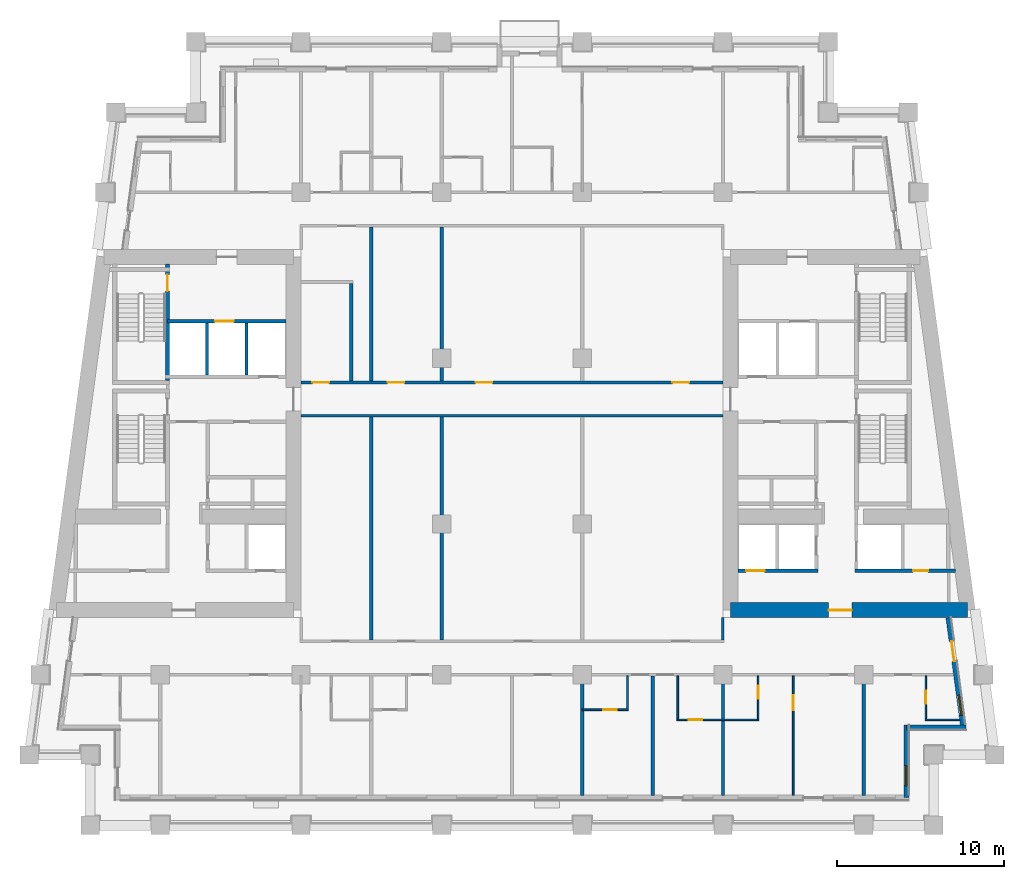
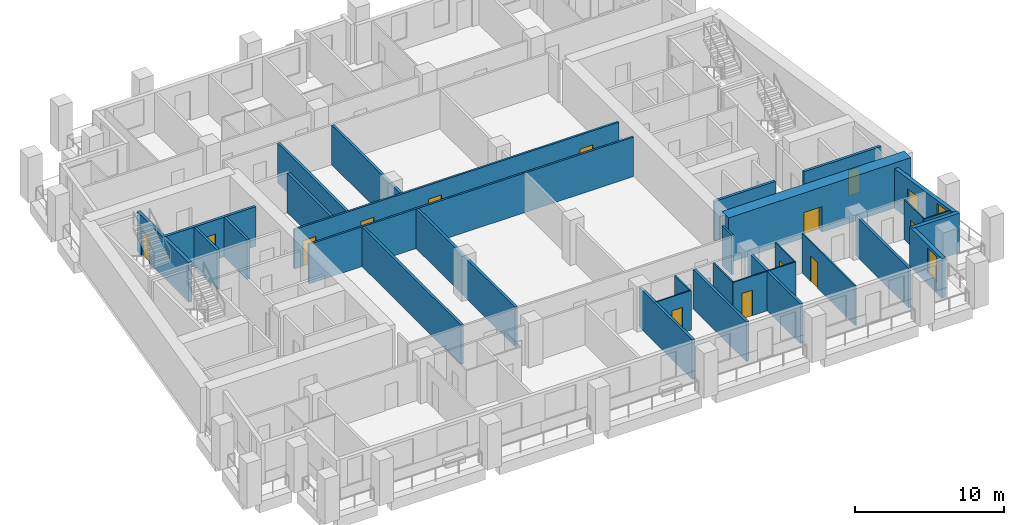
# One storey, part 4 of 13: 30 walls, 15 doors, 2 windows, 17 openings.
"""IFC4 building model written with IfcOpenShell, lengths in metres."""

import ifcopenshell
import ifcopenshell.guid

model = None  # the IFC model being written
_history = None  # IfcOwnerHistory: only IFC2X3 demands one
_inside = {}  # id of a spatial element -> (the spatial element, [elements in it])
_under = {}  # id of a project, library or spatial element -> (it, [spatial elements below it])
_declared = {}  # id of a project -> (the project, [libraries it declares])
_typed = {}  # id of a type object -> (the type object, [elements of that type])
_made_of = {}  # id of a material, layer set ... -> (it, [elements and type objects made of it])


def new_model(schema):
    """Start an empty IFC model of exactly this schema.

    Asked for "IFC4X3", IfcOpenShell would pick the latest addendum, in which some entities
    have other attributes; the version numbers below select the first issue.
    IFC2X3 requires an IfcOwnerHistory on every rooted entity: one is made here for all.
    """
    global model, _history
    if schema == "IFC4X3":
        model = ifcopenshell.file(schema_version=(4, 3, 0, 0))
    else:
        model = ifcopenshell.file(schema=schema)
    _inside.clear()
    _under.clear()
    _declared.clear()
    _typed.clear()
    _made_of.clear()
    _history = None
    if model.schema == "IFC2X3":
        org = make("IfcOrganization", Name="unknown")
        user = make(
            "IfcPersonAndOrganization",
            ThePerson=make("IfcPerson", FamilyName="unknown"),
            TheOrganization=org,
        )
        app = make(
            "IfcApplication",
            ApplicationDeveloper=org,
            Version="unknown",
            ApplicationFullName="unknown",
            ApplicationIdentifier="unknown",
        )
        _history = make(
            "IfcOwnerHistory",
            OwningUser=user,
            OwningApplication=app,
            ChangeAction="ADDED",
            CreationDate=0,
        )
    return model


def make(cls, **values):
    """One entity of the class cls with the attributes given. An attribute that is None is left unset."""
    return model.create_entity(
        cls, **{name: value for name, value in values.items() if value is not None}
    )


def rooted(cls, **values):
    """An entity with a GlobalId (a new one), such as an element, a storey or a relation."""
    return make(cls, GlobalId=ifcopenshell.guid.new(), OwnerHistory=_history, **values)


def si_unit(unit_type, name, prefix=None):
    """IfcSIUnit, for example si_unit("LENGTHUNIT", "METRE", prefix="MILLI")."""
    return make("IfcSIUnit", UnitType=unit_type, Prefix=prefix, Name=name)


def assignment(units):
    """IfcUnitAssignment: the units of a project."""
    return None if units is None else make("IfcUnitAssignment", Units=units)


def point(xyz):
    """IfcCartesianPoint."""
    return None if xyz is None else make("IfcCartesianPoint", Coordinates=xyz)


def direction(xyz):
    """IfcDirection."""
    return None if xyz is None else make("IfcDirection", DirectionRatios=xyz)


def frame(location, z_axis=None, x_axis=None):
    """IfcAxis2Placement3D, a coordinate frame: its origin and axes. An axis left out is left unset."""
    return make(
        "IfcAxis2Placement3D",
        Location=point(location),
        Axis=direction(z_axis),
        RefDirection=direction(x_axis),
    )


def frame_2d(location, x_axis=None):
    """IfcAxis2Placement2D, a coordinate frame in the plane: its origin and x axis."""
    return make(
        "IfcAxis2Placement2D", Location=point(location), RefDirection=direction(x_axis)
    )


def origin():
    """The frame at (0, 0, 0) with its axes left unset."""
    return frame((0.0, 0.0, 0.0))


def place(relative_to, where):
    """IfcLocalPlacement: puts the frame where relative to a parent placement (None: the world)."""
    return make(
        "IfcLocalPlacement", PlacementRelTo=relative_to, RelativePlacement=where
    )


def context(
    kind, dimensions, precision=None, world=None, true_north=None, identifier=None
):
    """IfcGeometricRepresentationContext, for example the 3D "Model" context."""
    return make(
        "IfcGeometricRepresentationContext",
        ContextIdentifier=identifier,
        ContextType=kind,
        CoordinateSpaceDimension=dimensions,
        Precision=precision,
        WorldCoordinateSystem=world,
        TrueNorth=true_north,
    )


def subcontext(parent, identifier, kind, view, scale=None):
    """IfcGeometricRepresentationSubContext, for example "Body" below "Model"."""
    return make(
        "IfcGeometricRepresentationSubContext",
        ContextIdentifier=identifier,
        ContextType=kind,
        ParentContext=parent,
        TargetScale=scale,
        TargetView=view,
    )


def project(units=None, contexts=None):
    """IfcProject with its units and contexts."""
    return rooted(
        "IfcProject",
        Name="project",
        RepresentationContexts=contexts,
        UnitsInContext=assignment(units),
    )


def spatial(cls, under=None, at=None, **own):
    """A site, building, storey or space (cls), placed at a placement, below another one or the project."""
    s = rooted(cls, ObjectPlacement=at, **own)
    if under is not None:
        _under.setdefault(under.id(), (under, []))[1].append(s)
    return s


def profile(cls, at=None, kind="AREA", **sizes):
    """A parametric profile (cls). Its sizes go by their IFC names, for example OverallWidth=200.0."""
    return make(cls, ProfileType=kind, Position=at, **sizes)


def rectangle(**sizes):
    """IfcRectangleProfileDef."""
    return profile("IfcRectangleProfileDef", **sizes)


def extrude(swept, where, along, depth):
    """IfcExtrudedAreaSolid: the profile swept, set in the frame where, extruded along a direction by depth."""
    return make(
        "IfcExtrudedAreaSolid",
        SweptArea=swept,
        Position=where,
        ExtrudedDirection=direction(along),
        Depth=depth,
    )


def shape(context_of_items, identifier, shape_type, items):
    """IfcShapeRepresentation: the items that make up one representation, for example the "Body"."""
    return make(
        "IfcShapeRepresentation",
        ContextOfItems=context_of_items,
        RepresentationIdentifier=identifier,
        RepresentationType=shape_type,
        Items=items,
    )


def material(Name=None, Category=None):
    """IfcMaterial."""
    return make("IfcMaterial", Name=Name, Category=Category)


def layer(
    of_material, thickness, ventilated=None, Name=None, Category=None, Priority=None
):
    """IfcMaterialLayer: one layer of a wall or slab, of a material (None: an air gap)."""
    return make(
        "IfcMaterialLayer",
        Material=of_material,
        LayerThickness=thickness,
        IsVentilated=ventilated,
        Name=Name,
        Category=Category,
        Priority=Priority,
    )


def layer_set(layers, Name=None):
    """IfcMaterialLayerSet."""
    return make("IfcMaterialLayerSet", MaterialLayers=layers, LayerSetName=Name)


def made_of(thing, what):
    """Note that an element or type object is made of a material, layer set ...; save() writes the relation."""
    if what is not None:
        _made_of.setdefault(what.id(), (what, []))[1].append(thing)
    return thing


def type_object(cls, material=None, **own):
    """A type object (cls), such as IfcWallType, which elements share."""
    return made_of(rooted(cls, **own), material)


def element(
    cls,
    number,
    at=None,
    inside=None,
    cuts=None,
    type_object=None,
    material=None,
    context=None,
    identifier="Body",
    shape_type=None,
    held_by="IfcProductDefinitionShape",
    body=None,
    shapes=None,
    **own,
):
    """One element of the class cls, such as IfcWall. Its Tag is "e" and its number.

    at: its placement. inside: the storey or other place that contains it. cuts: it is an
    opening in that element (IfcRelVoidsElement). A single representation is given by context,
    identifier, shape_type and body (its items); several are given by shapes. held_by: the class
    of the entity that holds the representations. save() writes the other relations.
    """
    e = rooted(cls, Tag="e%d" % number, ObjectPlacement=at, **own)
    if body is not None:
        shapes = [shape(context, identifier, shape_type, body)]
    if shapes is not None:
        e.Representation = make(held_by, Representations=shapes)
    if inside is not None:
        _inside.setdefault(inside.id(), (inside, []))[1].append(e)
    if cuts is not None:
        rooted(
            "IfcRelVoidsElement", RelatingBuildingElement=cuts, RelatedOpeningElement=e
        )
    if type_object is not None:
        _typed.setdefault(type_object.id(), (type_object, []))[1].append(e)
    return made_of(e, material)


def fill(opening, filler):
    """IfcRelFillsElement: the door or window that sits in an opening."""
    return rooted(
        "IfcRelFillsElement",
        RelatingOpeningElement=opening,
        RelatedBuildingElement=filler,
    )


def aggregate(whole, parts):
    """IfcRelAggregates: a whole, such as a stair, and the parts it consists of."""
    return rooted("IfcRelAggregates", RelatingObject=whole, RelatedObjects=parts)


def save(model, path):
    """Write the relations noted so far, then the file.

    IfcRelAggregates (storeys below a building ...), IfcRelContainedInSpatialStructure (elements
    in a storey), IfcRelDefinesByType, IfcRelAssociatesMaterial and IfcRelDeclares: one each for
    every whole, place, type object, material and project.
    """
    for whole, parts in _under.values():
        aggregate(whole, parts)
    for where, things in _inside.values():
        rooted(
            "IfcRelContainedInSpatialStructure",
            RelatedElements=things,
            RelatingStructure=where,
        )
    for kind, things in _typed.values():
        rooted("IfcRelDefinesByType", RelatedObjects=things, RelatingType=kind)
    for what, things in _made_of.values():
        rooted("IfcRelAssociatesMaterial", RelatedObjects=things, RelatingMaterial=what)
    for by, libraries in _declared.values():
        rooted("IfcRelDeclares", RelatingContext=by, RelatedDefinitions=libraries)
    model.write(path)


model = new_model("IFC4")

# Units and contexts
model_context = context("Model", 3, precision=1e-05, world=origin(), true_north=direction((0.0, 1.0)))
body_context = subcontext(model_context, "Body", "Model", "MODEL_VIEW")
ifc_project = project(units=[si_unit("LENGTHUNIT", "METRE"), si_unit("AREAUNIT", "SQUARE_METRE"), si_unit("VOLUMEUNIT", "CUBIC_METRE"), si_unit("PLANEANGLEUNIT", "RADIAN"), si_unit("MASSUNIT", "GRAM", prefix="KILO")], contexts=[model_context])

# Site, building, storey
site_placement = place(None, origin())
site = spatial("IfcSite", under=ifc_project, at=site_placement, CompositionType="ELEMENT")
building_placement = place(site_placement, origin())
building = spatial("IfcBuilding", under=site, at=building_placement, Name="Candeia Pilgrim Tower and Theatre", CompositionType="ELEMENT")
storey_placement = place(building_placement, frame((0.0, 0.0, 188.5)))
storey = spatial("IfcBuildingStorey", under=building, at=storey_placement, Name="L45", CompositionType="ELEMENT", Elevation=188.5)

# Wall, opening, door
ifc_material_1 = material(Name="Concrete C60/75", Category="concrete")
ifc_layer_1 = layer(ifc_material_1, 0.89990234375)
ifc_layer_set_1 = layer_set([ifc_layer_1], Name="Core wall 900 C60/75")
wall_type_1 = type_object("IfcWallType", Name="Core wall 900 C60/75", PredefinedType="SHEAR", material=ifc_layer_set_1)
wall_1_placement = place(storey_placement, frame((140.6162109375, 110.85009765625, 0.0), z_axis=(0.0, 0.0, 1.0), x_axis=(-1.0, 0.0, 0.0)))
wall_1 = element("IfcWall", 1, at=wall_1_placement, inside=storey, type_object=wall_type_1, Name="Core wall E3", PredefinedType="SHEAR", context=body_context, shape_type="SweptSolid", body=[
    extrude(rectangle(XDim=14.166259765625, YDim=0.89990234375, at=frame_2d((7.0830078125, 0.0))), origin(), (0.0, 0.0, 1.0), 3.699951171875),
])
opening_1_placement = place(wall_1_placement, frame((6.911376953125, 0.0, 0.0)))
opening_1 = element("IfcOpeningElement", 2, at=opening_1_placement, cuts=wall_1, Name="Opening L45-D058", PredefinedType="OPENING", context=body_context, shape_type="SweptSolid", body=[
    extrude(rectangle(XDim=1.39990234375, YDim=2.10009765625, at=frame_2d((0.699951171875, 1.050048828125))), frame((0.0, 0.4599609375, 0.0), z_axis=(0.0, -1.0, 0.0), x_axis=(1.0, 0.0, 0.0)), (0.0, 0.0, 1.0), 0.919921875),
])
ifc_material_2 = material(Name="Steel fire door set", Category="steel")
door_type_1 = type_object("IfcDoorType", Name="D-1400-FD60", OperationType="NOTDEFINED", PredefinedType="DOOR", material=ifc_material_2)
door_1_placement = place(opening_1_placement, origin())
door_1 = element("IfcDoor", 3, at=door_1_placement, inside=storey, type_object=door_type_1, Name="Door L45-D058", OperationType="SINGLE_SWING_LEFT", OverallHeight=2.10009765625, OverallWidth=1.39990234375, PredefinedType="DOOR", context=body_context, shape_type="SweptSolid", body=[
    extrude(rectangle(XDim=1.39990234375, YDim=2.10009765625, at=frame_2d((0.699951171875, 1.050048828125))), frame((0.0, 0.02490234375, 0.0), z_axis=(0.0, -1.0, 0.0), x_axis=(1.0, 0.0, 0.0)), (0.0, 0.0, 1.0), 0.050048828125),
])
fill(opening_1, door_1)

# Wall, opening, window
ifc_material_3 = material(Name="Ceramic block masonry", Category="masonry")
ifc_layer_2 = layer(ifc_material_3, 0.300048828125)
ifc_layer_set_2 = layer_set([ifc_layer_2], Name="EW1 glazing-line wall 300")
wall_type_2 = type_object("IfcWallType", Name="EW1 glazing-line wall 300", PredefinedType="SOLIDWALL", material=ifc_layer_set_2)
wall_2_placement = place(storey_placement, frame((136.949951171875, 99.64990234375, 0.0), z_axis=(0.0, 0.0, 1.0), x_axis=(0.0, 1.0, 0.0)))
wall_2 = element("IfcWall", 4, at=wall_2_placement, inside=storey, type_object=wall_type_2, Name="External wall L45-1.0", PredefinedType="SOLIDWALL", context=body_context, shape_type="SweptSolid", body=[
    extrude(rectangle(XDim=4.35009765625, YDim=0.300048828125, at=frame_2d((2.175048828125, 0.0))), origin(), (0.0, 0.0, 1.0), 3.25),
])
opening_2_placement = place(wall_2_placement, frame((0.72509765625, 0.0, 0.89990234375)))
opening_2 = element("IfcOpeningElement", 5, at=opening_2_placement, cuts=wall_2, Name="Opening W-B", PredefinedType="OPENING", context=body_context, shape_type="SweptSolid", body=[
    extrude(rectangle(XDim=1.199951171875, YDim=2.10009765625, at=frame_2d((0.60009765625, 1.050048828125))), frame((0.0, 0.16015625, 0.0), z_axis=(0.0, -1.0, 0.0), x_axis=(1.0, 0.0, 0.0)), (0.0, 0.0, 1.0), 0.320068359375),
])
ifc_material_4 = material(Name="Aluminium framed double glazing", Category="aluminium")
window_type = type_object("IfcWindowType", Name="W-B window 1200x2100", PartitioningType="SINGLE_PANEL", PredefinedType="WINDOW", material=ifc_material_4)
window_1_placement = place(opening_2_placement, origin())
window_1 = element("IfcWindow", 6, at=window_1_placement, inside=storey, type_object=window_type, Name="Window W-B L45", OverallHeight=2.10009765625, OverallWidth=1.199951171875, PartitioningType="SINGLE_PANEL", PredefinedType="WINDOW", context=body_context, shape_type="SweptSolid", body=[
    extrude(rectangle(XDim=1.199951171875, YDim=2.10009765625, at=frame_2d((0.60009765625, 1.050048828125))), frame((0.0, 0.030029296875, 0.0), z_axis=(0.0, -1.0, 0.0), x_axis=(1.0, 0.0, 0.0)), (0.0, 0.0, 1.0), 0.06005859375),
])
fill(opening_2, window_1)

# Wall
wall_3_placement = place(storey_placement, frame((136.949951171875, 103.85009765625, 0.0), z_axis=(0.0, 0.0, 1.0), x_axis=(1.0, 0.0, 0.0)))
element("IfcWall", 7, at=wall_3_placement, inside=storey, type_object=wall_type_2, Name="External wall L45-2.0", PredefinedType="SOLIDWALL", context=body_context, shape_type="SweptSolid", body=[
    extrude(rectangle(XDim=3.569091796875, YDim=0.300048828125, at=frame_2d((1.78466796875, 0.0))), origin(), (0.0, 0.0, 1.0), 3.25),
])

# Wall, openings, door, window
wall_4_placement = place(storey_placement, frame((140.34765625, 103.85009765625, 0.0), z_axis=(0.0, 0.0, 1.0), x_axis=(-0.133431549479, 0.991058031401, 0.0)))
wall_4 = element("IfcWall", 8, at=wall_4_placement, inside=storey, type_object=wall_type_2, Name="External wall L45-3.0", PredefinedType="SOLIDWALL", context=body_context, shape_type="SweptSolid", body=[
    extrude(rectangle(XDim=6.60888671875, YDim=0.300048828125, at=frame_2d((3.304443359375, 0.0))), origin(), (0.0, 0.0, 1.0), 3.25),
])
opening_3_placement = place(wall_4_placement, frame((0.736572265625, 0.0, 0.89990234375)))
opening_3 = element("IfcOpeningElement", 9, at=opening_3_placement, cuts=wall_4, Name="Opening W-B", PredefinedType="OPENING", context=body_context, shape_type="SweptSolid", body=[
    extrude(rectangle(XDim=1.199951171875, YDim=2.10009765625, at=frame_2d((0.60009765625, 1.050048828125))), frame((0.0, 0.16015625, 0.0), z_axis=(0.0, -1.0, 0.0), x_axis=(1.0, 0.0, 0.0)), (0.0, 0.0, 1.0), 0.320068359375),
])
opening_4_placement = place(wall_4_placement, frame((3.990966796875, 0.0, 0.0)))
opening_4 = element("IfcOpeningElement", 10, at=opening_4_placement, cuts=wall_4, Name="Opening L45-ED432", PredefinedType="OPENING", context=body_context, shape_type="SweptSolid", body=[
    extrude(rectangle(XDim=1.199951171875, YDim=2.39990234375, at=frame_2d((0.60009765625, 1.199951171875))), frame((0.0, 0.16015625, 0.0), z_axis=(0.0, -1.0, 0.0), x_axis=(1.0, 0.0, 0.0)), (0.0, 0.0, 1.0), 0.320068359375),
])
ifc_material_5 = material(Name="Aluminium framed glazed door", Category="aluminium")
door_type_2 = type_object("IfcDoorType", Name="Loggia door 1200x2400", OperationType="DOUBLE_DOOR_SINGLE_SWING", PredefinedType="DOOR", material=ifc_material_5)
door_2_placement = place(opening_4_placement, origin())
door_2 = element("IfcDoor", 11, at=door_2_placement, inside=storey, type_object=door_type_2, Name="Loggia door L45-ED432", OperationType="DOUBLE_DOOR_SINGLE_SWING", OverallHeight=2.39990234375, OverallWidth=1.199951171875, PredefinedType="DOOR", context=body_context, shape_type="SweptSolid", body=[
    extrude(rectangle(XDim=1.199951171875, YDim=2.39990234375, at=frame_2d((0.60009765625, 1.199951171875))), frame((0.0, 0.02490234375, 0.0), z_axis=(0.0, -1.0, 0.0), x_axis=(1.0, 0.0, 0.0)), (0.0, 0.0, 1.0), 0.050048828125),
])
fill(opening_4, door_2)
window_2_placement = place(opening_3_placement, origin())
window_2 = element("IfcWindow", 12, at=window_2_placement, inside=storey, type_object=window_type, Name="Window W-B L45", OverallHeight=2.10009765625, OverallWidth=1.199951171875, PartitioningType="SINGLE_PANEL", PredefinedType="WINDOW", context=body_context, shape_type="SweptSolid", body=[
    extrude(rectangle(XDim=1.199951171875, YDim=2.10009765625, at=frame_2d((0.60009765625, 1.050048828125))), frame((0.0, 0.030029296875, 0.0), z_axis=(0.0, -1.0, 0.0), x_axis=(1.0, 0.0, 0.0)), (0.0, 0.0, 1.0), 0.06005859375),
])
fill(opening_3, window_2)

# Wall, opening, door
ifc_material_6 = material(Name="Gypsum board partition on steel studs", Category="steel")
ifc_layer_3 = layer(ifc_material_6, 0.10009765625)
ifc_layer_set_3 = layer_set([ifc_layer_3], Name="PW-100 room partition")
wall_type_3 = type_object("IfcWallType", Name="PW-100 room partition", PredefinedType="PARTITIONING", material=ifc_layer_set_3)
wall_5_placement = place(storey_placement, frame((123.25, 104.300048828125, 0.0), z_axis=(0.0, 0.0, 1.0), x_axis=(1.0, 0.0, 0.0)))
wall_5 = element("IfcWall", 13, at=wall_5_placement, inside=storey, type_object=wall_type_3, Name="Room partition L45-003", PredefinedType="PARTITIONING", context=body_context, shape_type="SweptSolid", body=[
    extrude(rectangle(XDim=4.89990234375, YDim=0.10009765625, at=frame_2d((2.449951171875, 0.0))), origin(), (0.0, 0.0, 1.0), 3.25),
])
opening_5_placement = place(wall_5_placement, frame((0.699951171875, 0.0, 0.0)))
opening_5 = element("IfcOpeningElement", 14, at=opening_5_placement, cuts=wall_5, Name="Opening L45-D025", PredefinedType="OPENING", context=body_context, shape_type="SweptSolid", body=[
    extrude(rectangle(XDim=0.800048828125, YDim=2.10009765625, at=frame_2d((0.39990234375, 1.050048828125))), frame((0.0, 0.06005859375, 0.0), z_axis=(0.0, -1.0, 0.0), x_axis=(1.0, 0.0, 0.0)), (0.0, 0.0, 1.0), 0.1201171875),
])
ifc_material_7 = material(Name="Timber door leaf", Category="wood")
door_type_3 = type_object("IfcDoorType", Name="D-800", OperationType="NOTDEFINED", PredefinedType="DOOR", material=ifc_material_7)
door_3_placement = place(opening_5_placement, origin())
door_3 = element("IfcDoor", 15, at=door_3_placement, inside=storey, type_object=door_type_3, Name="Door L45-D025", OperationType="SINGLE_SWING_RIGHT", OverallHeight=2.10009765625, OverallWidth=0.800048828125, PredefinedType="DOOR", context=body_context, shape_type="SweptSolid", body=[
    extrude(rectangle(XDim=0.800048828125, YDim=2.10009765625, at=frame_2d((0.39990234375, 1.050048828125))), frame((0.0, 0.02490234375, 0.0), z_axis=(0.0, -1.0, 0.0), x_axis=(1.0, 0.0, 0.0)), (0.0, 0.0, 1.0), 0.050048828125),
])
fill(opening_5, door_3)

# Wall
wall_6_placement = place(storey_placement, frame((138.070068359375, 104.300048828125, 0.0), z_axis=(0.0, 0.0, 1.0), x_axis=(1.0, 0.0, 0.0)))
element("IfcWall", 16, at=wall_6_placement, inside=storey, type_object=wall_type_3, Name="Room partition L45-004", PredefinedType="PARTITIONING", context=body_context, shape_type="SweptSolid", body=[
    extrude(rectangle(XDim=2.07568359375, YDim=0.10009765625, at=frame_2d((1.037841796875, 0.0))), origin(), (0.0, 0.0, 1.0), 3.25),
])

# Wall, opening, door
wall_7_placement = place(storey_placement, frame((117.60009765625, 104.89990234375, 0.0), z_axis=(0.0, 0.0, 1.0), x_axis=(1.0, 0.0, 0.0)))
wall_7 = element("IfcWall", 17, at=wall_7_placement, inside=storey, type_object=wall_type_3, Name="Room partition L45-006", PredefinedType="PARTITIONING", context=body_context, shape_type="SweptSolid", body=[
    extrude(rectangle(XDim=2.75, YDim=0.10009765625, at=frame_2d((1.375, 0.0))), origin(), (0.0, 0.0, 1.0), 3.25),
])
opening_6_placement = place(wall_7_placement, frame((1.25, 0.0, 0.0)))
opening_6 = element("IfcOpeningElement", 18, at=opening_6_placement, cuts=wall_7, Name="Opening L45-D023", PredefinedType="OPENING", context=body_context, shape_type="SweptSolid", body=[
    extrude(rectangle(XDim=0.800048828125, YDim=2.10009765625, at=frame_2d((0.39990234375, 1.050048828125))), frame((0.0, 0.06005859375, 0.0), z_axis=(0.0, -1.0, 0.0), x_axis=(1.0, 0.0, 0.0)), (0.0, 0.0, 1.0), 0.1201171875),
])
door_4_placement = place(opening_6_placement, origin())
door_4 = element("IfcDoor", 19, at=door_4_placement, inside=storey, type_object=door_type_3, Name="Door L45-D023", OperationType="SINGLE_SWING_RIGHT", OverallHeight=2.10009765625, OverallWidth=0.800048828125, PredefinedType="DOOR", context=body_context, shape_type="SweptSolid", body=[
    extrude(rectangle(XDim=0.800048828125, YDim=2.10009765625, at=frame_2d((0.39990234375, 1.050048828125))), frame((0.0, 0.02490234375, 0.0), z_axis=(0.0, -1.0, 0.0), x_axis=(1.0, 0.0, 0.0)), (0.0, 0.0, 1.0), 0.050048828125),
])
fill(opening_6, door_4)

# Walls
wall_8_placement = place(storey_placement, frame((120.300048828125, 104.949951171875, 0.0), z_axis=(0.0, 0.0, 1.0), x_axis=(0.0, 1.0, 0.0)))
element("IfcWall", 20, at=wall_8_placement, inside=storey, type_object=wall_type_3, Name="Room partition L45-092", PredefinedType="PARTITIONING", context=body_context, shape_type="SweptSolid", body=[
    extrude(rectangle(XDim=1.97509765625, YDim=0.10009765625, at=frame_2d((0.987548828125, 0.0))), origin(), (0.0, 0.0, 1.0), 3.25),
])
wall_9_placement = place(storey_placement, frame((123.300048828125, 104.35009765625, 0.0), z_axis=(0.0, 0.0, 1.0), x_axis=(0.0, 1.0, 0.0)))
element("IfcWall", 21, at=wall_9_placement, inside=storey, type_object=wall_type_3, Name="Room partition L45-094", PredefinedType="PARTITIONING", context=body_context, shape_type="SweptSolid", body=[
    extrude(rectangle(XDim=2.574951171875, YDim=0.10009765625, at=frame_2d((1.28759765625, 0.0))), origin(), (0.0, 0.0, 1.0), 3.25),
])

# Wall, opening, door
wall_10_placement = place(storey_placement, frame((128.10009765625, 104.35009765625, 0.0), z_axis=(0.0, 0.0, 1.0), x_axis=(0.0, 1.0, 0.0)))
wall_10 = element("IfcWall", 22, at=wall_10_placement, inside=storey, type_object=wall_type_3, Name="Room partition L45-099", PredefinedType="PARTITIONING", context=body_context, shape_type="SweptSolid", body=[
    extrude(rectangle(XDim=2.574951171875, YDim=0.10009765625, at=frame_2d((1.28759765625, 0.0))), origin(), (0.0, 0.0, 1.0), 3.25),
])
opening_7_placement = place(wall_10_placement, frame((1.199951171875, 0.0, 0.0)))
opening_7 = element("IfcOpeningElement", 23, at=opening_7_placement, cuts=wall_10, Name="Opening L45-D028", PredefinedType="OPENING", context=body_context, shape_type="SweptSolid", body=[
    extrude(rectangle(XDim=0.800048828125, YDim=2.10009765625, at=frame_2d((0.39990234375, 1.050048828125))), frame((0.0, 0.06005859375, 0.0), z_axis=(0.0, -1.0, 0.0), x_axis=(1.0, 0.0, 0.0)), (0.0, 0.0, 1.0), 0.1201171875),
])
door_5_placement = place(opening_7_placement, origin())
door_5 = element("IfcDoor", 24, at=door_5_placement, inside=storey, type_object=door_type_3, Name="Door L45-D028", OperationType="SINGLE_SWING_LEFT", OverallHeight=2.10009765625, OverallWidth=0.800048828125, PredefinedType="DOOR", context=body_context, shape_type="SweptSolid", body=[
    extrude(rectangle(XDim=0.800048828125, YDim=2.10009765625, at=frame_2d((0.39990234375, 1.050048828125))), frame((0.0, 0.02490234375, 0.0), z_axis=(0.0, -1.0, 0.0), x_axis=(1.0, 0.0, 0.0)), (0.0, 0.0, 1.0), 0.050048828125),
])
fill(opening_7, door_5)

wall_11_placement = place(storey_placement, frame((130.199951171875, 99.7900390625, 0.0), z_axis=(0.0, 0.0, 1.0), x_axis=(0.0, 1.0, 0.0)))
wall_11 = element("IfcWall", 25, at=wall_11_placement, inside=storey, type_object=wall_type_3, Name="Room partition L45-104", PredefinedType="PARTITIONING", context=body_context, shape_type="SweptSolid", body=[
    extrude(rectangle(XDim=7.135009765625, YDim=0.10009765625, at=frame_2d((3.5673828125, 0.0))), origin(), (0.0, 0.0, 1.0), 3.25),
])
opening_8_placement = place(wall_11_placement, frame((5.074951171875, 0.0, 0.0)))
opening_8 = element("IfcOpeningElement", 26, at=opening_8_placement, cuts=wall_11, Name="Opening L45-D027", PredefinedType="OPENING", context=body_context, shape_type="SweptSolid", body=[
    extrude(rectangle(XDim=0.89990234375, YDim=2.10009765625, at=frame_2d((0.449951171875, 1.050048828125))), frame((0.0, 0.06005859375, 0.0), z_axis=(0.0, -1.0, 0.0), x_axis=(1.0, 0.0, 0.0)), (0.0, 0.0, 1.0), 0.1201171875),
])
door_type_4 = type_object("IfcDoorType", Name="D-900", OperationType="NOTDEFINED", PredefinedType="DOOR", material=ifc_material_7)
door_6_placement = place(opening_8_placement, origin())
door_6 = element("IfcDoor", 27, at=door_6_placement, inside=storey, type_object=door_type_4, Name="Door L45-D027", OperationType="SINGLE_SWING_RIGHT", OverallHeight=2.10009765625, OverallWidth=0.89990234375, PredefinedType="DOOR", context=body_context, shape_type="SweptSolid", body=[
    extrude(rectangle(XDim=0.89990234375, YDim=2.10009765625, at=frame_2d((0.449951171875, 1.050048828125))), frame((0.0, 0.02490234375, 0.0), z_axis=(0.0, -1.0, 0.0), x_axis=(1.0, 0.0, 0.0)), (0.0, 0.0, 1.0), 0.050048828125),
])
fill(opening_8, door_6)

wall_12_placement = place(storey_placement, frame((138.1201171875, 104.35009765625, 0.0), z_axis=(0.0, 0.0, 1.0), x_axis=(0.0, 1.0, 0.0)))
wall_12 = element("IfcWall", 28, at=wall_12_placement, inside=storey, type_object=wall_type_3, Name="Room partition L45-119", PredefinedType="PARTITIONING", context=body_context, shape_type="SweptSolid", body=[
    extrude(rectangle(XDim=2.574951171875, YDim=0.10009765625, at=frame_2d((1.28759765625, 0.0))), origin(), (0.0, 0.0, 1.0), 3.25),
])
opening_9_placement = place(wall_12_placement, frame((0.89990234375, 0.0, 0.0)))
opening_9 = element("IfcOpeningElement", 29, at=opening_9_placement, cuts=wall_12, Name="Opening L45-D030", PredefinedType="OPENING", context=body_context, shape_type="SweptSolid", body=[
    extrude(rectangle(XDim=0.800048828125, YDim=2.10009765625, at=frame_2d((0.39990234375, 1.050048828125))), frame((0.0, 0.06005859375, 0.0), z_axis=(0.0, -1.0, 0.0), x_axis=(1.0, 0.0, 0.0)), (0.0, 0.0, 1.0), 0.1201171875),
])
door_7_placement = place(opening_9_placement, origin())
door_7 = element("IfcDoor", 30, at=door_7_placement, inside=storey, type_object=door_type_3, Name="Door L45-D030", OperationType="SINGLE_SWING_LEFT", OverallHeight=2.10009765625, OverallWidth=0.800048828125, PredefinedType="DOOR", context=body_context, shape_type="SweptSolid", body=[
    extrude(rectangle(XDim=0.800048828125, YDim=2.10009765625, at=frame_2d((0.39990234375, 1.050048828125))), frame((0.0, 0.02490234375, 0.0), z_axis=(0.0, -1.0, 0.0), x_axis=(1.0, 0.0, 0.0)), (0.0, 0.0, 1.0), 0.050048828125),
])
fill(opening_9, door_7)

# Wall
ifc_layer_4 = layer(ifc_material_6, 0.14990234375)
ifc_layer_set_4 = layer_set([ifc_layer_4], Name="PW-150 unit wall")
wall_type_4 = type_object("IfcWallType", Name="PW-150 unit wall", PredefinedType="PARTITIONING", material=ifc_layer_set_4)
wall_13_placement = place(storey_placement, frame((100.800048828125, 122.449951171875, 0.0), z_axis=(0.0, 0.0, 1.0), x_axis=(1.0, 0.0, 0.0)))
element("IfcWall", 31, at=wall_13_placement, inside=storey, type_object=wall_type_4, Name="Unit wall L45-025", PredefinedType="PARTITIONING", context=body_context, shape_type="SweptSolid", body=[
    extrude(rectangle(XDim=25.199951171875, YDim=0.14990234375, at=frame_2d((12.60009765625, 0.0))), origin(), (0.0, 0.0, 1.0), 3.25),
])

# Wall, openings, doors
wall_14_placement = place(storey_placement, frame((100.800048828125, 124.449951171875, 0.0), z_axis=(0.0, 0.0, 1.0), x_axis=(1.0, 0.0, 0.0)))
wall_14 = element("IfcWall", 32, at=wall_14_placement, inside=storey, type_object=wall_type_4, Name="Unit wall L45-030", PredefinedType="PARTITIONING", context=body_context, shape_type="SweptSolid", body=[
    extrude(rectangle(XDim=25.199951171875, YDim=0.14990234375, at=frame_2d((12.60009765625, 0.0))), origin(), (0.0, 0.0, 1.0), 3.25),
])
opening_10_placement = place(wall_14_placement, frame((0.675048828125, 0.0, 0.0)))
opening_10 = element("IfcOpeningElement", 33, at=opening_10_placement, cuts=wall_14, Name="Opening L45-D051", PredefinedType="OPENING", context=body_context, shape_type="SweptSolid", body=[
    extrude(rectangle(XDim=1.0, YDim=2.10009765625, at=frame_2d((0.5, 1.050048828125))), frame((0.0, 0.0849609375, 0.0), z_axis=(0.0, -1.0, 0.0), x_axis=(1.0, 0.0, 0.0)), (0.0, 0.0, 1.0), 0.169921875),
])
opening_11_placement = place(wall_14_placement, frame((5.175048828125, 0.0, 0.0)))
opening_11 = element("IfcOpeningElement", 34, at=opening_11_placement, cuts=wall_14, Name="Opening L45-D052", PredefinedType="OPENING", context=body_context, shape_type="SweptSolid", body=[
    extrude(rectangle(XDim=1.0, YDim=2.10009765625, at=frame_2d((0.5, 1.050048828125))), frame((0.0, 0.0849609375, 0.0), z_axis=(0.0, -1.0, 0.0), x_axis=(1.0, 0.0, 0.0)), (0.0, 0.0, 1.0), 0.169921875),
])
opening_12_placement = place(wall_14_placement, frame((10.425048828125, 0.0, 0.0)))
opening_12 = element("IfcOpeningElement", 35, at=opening_12_placement, cuts=wall_14, Name="Opening L45-D053", PredefinedType="OPENING", context=body_context, shape_type="SweptSolid", body=[
    extrude(rectangle(XDim=1.0, YDim=2.10009765625, at=frame_2d((0.5, 1.050048828125))), frame((0.0, 0.0849609375, 0.0), z_axis=(0.0, -1.0, 0.0), x_axis=(1.0, 0.0, 0.0)), (0.0, 0.0, 1.0), 0.169921875),
])
opening_13_placement = place(wall_14_placement, frame((22.175048828125, 0.0, 0.0)))
opening_13 = element("IfcOpeningElement", 36, at=opening_13_placement, cuts=wall_14, Name="Opening L45-D054", PredefinedType="OPENING", context=body_context, shape_type="SweptSolid", body=[
    extrude(rectangle(XDim=1.0, YDim=2.10009765625, at=frame_2d((0.5, 1.050048828125))), frame((0.0, 0.0849609375, 0.0), z_axis=(0.0, -1.0, 0.0), x_axis=(1.0, 0.0, 0.0)), (0.0, 0.0, 1.0), 0.169921875),
])
door_type_5 = type_object("IfcDoorType", Name="D-1000-FD30S", OperationType="NOTDEFINED", PredefinedType="DOOR", material=ifc_material_2)
door_8_placement = place(opening_10_placement, origin())
door_8 = element("IfcDoor", 37, at=door_8_placement, inside=storey, type_object=door_type_5, Name="Door L45-D051", OperationType="SINGLE_SWING_RIGHT", OverallHeight=2.10009765625, OverallWidth=1.0, PredefinedType="DOOR", context=body_context, shape_type="SweptSolid", body=[
    extrude(rectangle(XDim=1.0, YDim=2.10009765625, at=frame_2d((0.5, 1.050048828125))), frame((0.0, 0.02490234375, 0.0), z_axis=(0.0, -1.0, 0.0), x_axis=(1.0, 0.0, 0.0)), (0.0, 0.0, 1.0), 0.050048828125),
])
fill(opening_10, door_8)
door_9_placement = place(opening_11_placement, origin())
door_9 = element("IfcDoor", 38, at=door_9_placement, inside=storey, type_object=door_type_5, Name="Door L45-D052", OperationType="SINGLE_SWING_LEFT", OverallHeight=2.10009765625, OverallWidth=1.0, PredefinedType="DOOR", context=body_context, shape_type="SweptSolid", body=[
    extrude(rectangle(XDim=1.0, YDim=2.10009765625, at=frame_2d((0.5, 1.050048828125))), frame((0.0, 0.02490234375, 0.0), z_axis=(0.0, -1.0, 0.0), x_axis=(1.0, 0.0, 0.0)), (0.0, 0.0, 1.0), 0.050048828125),
])
fill(opening_11, door_9)
door_10_placement = place(opening_12_placement, origin())
door_10 = element("IfcDoor", 39, at=door_10_placement, inside=storey, type_object=door_type_5, Name="Door L45-D053", OperationType="SINGLE_SWING_RIGHT", OverallHeight=2.10009765625, OverallWidth=1.0, PredefinedType="DOOR", context=body_context, shape_type="SweptSolid", body=[
    extrude(rectangle(XDim=1.0, YDim=2.10009765625, at=frame_2d((0.5, 1.050048828125))), frame((0.0, 0.02490234375, 0.0), z_axis=(0.0, -1.0, 0.0), x_axis=(1.0, 0.0, 0.0)), (0.0, 0.0, 1.0), 0.050048828125),
])
fill(opening_12, door_10)
door_11_placement = place(opening_13_placement, origin())
door_11 = element("IfcDoor", 40, at=door_11_placement, inside=storey, type_object=door_type_5, Name="Door L45-D054", OperationType="SINGLE_SWING_LEFT", OverallHeight=2.10009765625, OverallWidth=1.0, PredefinedType="DOOR", context=body_context, shape_type="SweptSolid", body=[
    extrude(rectangle(XDim=1.0, YDim=2.10009765625, at=frame_2d((0.5, 1.050048828125))), frame((0.0, 0.02490234375, 0.0), z_axis=(0.0, -1.0, 0.0), x_axis=(1.0, 0.0, 0.0)), (0.0, 0.0, 1.0), 0.050048828125),
])
fill(opening_13, door_11)

# Walls
wall_15_placement = place(storey_placement, frame((126.0, 109.074951171875, 0.0), z_axis=(0.0, 0.0, 1.0), x_axis=(0.0, 1.0, 0.0)))
element("IfcWall", 41, at=wall_15_placement, inside=storey, type_object=wall_type_4, Name="Unit wall L45-097", PredefinedType="PARTITIONING", context=body_context, shape_type="SweptSolid", body=[
    extrude(rectangle(XDim=1.324951171875, YDim=0.14990234375, at=frame_2d((0.66259765625, 0.0))), origin(), (0.0, 0.0, 1.0), 3.25),
])
ifc_layer_5 = layer(ifc_material_6, 0.199951171875)
ifc_layer_set_5 = layer_set([ifc_layer_5], Name="PW-200 party wall")
wall_type_5 = type_object("IfcWallType", Name="PW-200 party wall", PredefinedType="PARTITIONING", material=ifc_layer_set_5)
wall_16_placement = place(storey_placement, frame((103.800048828125, 124.52490234375, 0.0), z_axis=(0.0, 0.0, 1.0), x_axis=(0.0, 1.0, 0.0)))
element("IfcWall", 42, at=wall_16_placement, inside=storey, type_object=wall_type_5, Name="Party wall L45-074", PredefinedType="PARTITIONING", context=body_context, shape_type="SweptSolid", body=[
    extrude(rectangle(XDim=5.8251953125, YDim=0.199951171875, at=frame_2d((2.91259765625, 0.0))), origin(), (0.0, 0.0, 1.0), 3.25),
])
wall_17_placement = place(storey_placement, frame((105.0, 109.074951171875, 0.0), z_axis=(0.0, 0.0, 1.0), x_axis=(0.0, 1.0, 0.0)))
element("IfcWall", 43, at=wall_17_placement, inside=storey, type_object=wall_type_5, Name="Party wall L45-076", PredefinedType="PARTITIONING", context=body_context, shape_type="SweptSolid", body=[
    extrude(rectangle(XDim=13.300048828125, YDim=0.199951171875, at=frame_2d((6.64990234375, 0.0))), origin(), (0.0, 0.0, 1.0), 3.25),
])
wall_18_placement = place(storey_placement, frame((105.0, 124.52490234375, 0.0), z_axis=(0.0, 0.0, 1.0), x_axis=(0.0, 1.0, 0.0)))
element("IfcWall", 44, at=wall_18_placement, inside=storey, type_object=wall_type_5, Name="Party wall L45-077", PredefinedType="PARTITIONING", context=body_context, shape_type="SweptSolid", body=[
    extrude(rectangle(XDim=9.2001953125, YDim=0.199951171875, at=frame_2d((4.60009765625, 0.0))), origin(), (0.0, 0.0, 1.0), 3.25),
])
wall_19_placement = place(storey_placement, frame((109.199951171875, 109.074951171875, 0.0), z_axis=(0.0, 0.0, 1.0), x_axis=(0.0, 1.0, 0.0)))
element("IfcWall", 45, at=wall_19_placement, inside=storey, type_object=wall_type_5, Name="Party wall L45-081", PredefinedType="PARTITIONING", context=body_context, shape_type="SweptSolid", body=[
    extrude(rectangle(XDim=13.300048828125, YDim=0.199951171875, at=frame_2d((6.64990234375, 0.0))), origin(), (0.0, 0.0, 1.0), 3.25),
])
wall_20_placement = place(storey_placement, frame((109.199951171875, 124.52490234375, 0.0), z_axis=(0.0, 0.0, 1.0), x_axis=(0.0, 1.0, 0.0)))
element("IfcWall", 46, at=wall_20_placement, inside=storey, type_object=wall_type_5, Name="Party wall L45-082", PredefinedType="PARTITIONING", context=body_context, shape_type="SweptSolid", body=[
    extrude(rectangle(XDim=9.2001953125, YDim=0.199951171875, at=frame_2d((4.60009765625, 0.0))), origin(), (0.0, 0.0, 1.0), 3.25),
])
for number, where, z_axis, x_axis, name in (
    (47, (117.60009765625, 99.7900390625, 0.0), (0.0, 0.0, 1.0), (0.0, 1.0, 0.0), "Party wall L45-089"),
    (48, (121.800048828125, 99.7900390625, 0.0), (0.0, 0.0, 1.0), (0.0, 1.0, 0.0), "Party wall L45-093"),
    (49, (126.0, 99.7900390625, 0.0), (0.0, 0.0, 1.0), (0.0, 1.0, 0.0), "Party wall L45-095"),
    (50, (134.39990234375, 99.7900390625, 0.0), (0.0, 0.0, 1.0), (0.0, 1.0, 0.0), "Party wall L45-115"),
):
    element("IfcWall", number, at=place(storey_placement, frame(where, z_axis=z_axis, x_axis=x_axis)), inside=storey, type_object=wall_type_5, Name=name, PredefinedType="PARTITIONING", context=body_context, shape_type="SweptSolid", body=[
        extrude(rectangle(XDim=7.135009765625, YDim=0.199951171875, at=frame_2d((3.5673828125, 0.0))), origin(), (0.0, 0.0, 1.0), 3.25),
    ])

# Wall, opening, door
ifc_material_8 = material(Name="Concrete C40/50", Category="concrete")
ifc_layer_6 = layer(ifc_material_8, 0.199951171875)
ifc_layer_set_6 = layer_set([ifc_layer_6], Name="SW-200 shaft wall")
wall_type_6 = type_object("IfcWallType", Name="SW-200 shaft wall", PredefinedType="PARTITIONING", material=ifc_layer_set_6)
wall_21_placement = place(storey_placement, frame((126.89990234375, 113.199951171875, 0.0), z_axis=(0.0, 0.0, 1.0), x_axis=(1.0, 0.0, 0.0)))
wall_21 = element("IfcWall", 51, at=wall_21_placement, inside=storey, type_object=wall_type_6, Name="Shaft wall L45-011", PredefinedType="PARTITIONING", context=body_context, shape_type="SweptSolid", body=[
    extrude(rectangle(XDim=4.773193359375, YDim=0.199951171875, at=frame_2d((2.38671875, 0.0))), origin(), (0.0, 0.0, 1.0), 3.25),
])
opening_14_placement = place(wall_21_placement, frame((0.48388671875, 0.0, 0.0)))
opening_14 = element("IfcOpeningElement", 52, at=opening_14_placement, cuts=wall_21, Name="Opening L45-LD08", PredefinedType="OPENING", context=body_context, shape_type="SweptSolid", body=[
    extrude(rectangle(XDim=1.10009765625, YDim=2.10009765625, at=frame_2d((0.550048828125, 1.050048828125))), frame((0.0, 0.10986328125, 0.0), z_axis=(0.0, -1.0, 0.0), x_axis=(1.0, 0.0, 0.0)), (0.0, 0.0, 1.0), 0.219970703125),
])
ifc_material_9 = material(Name="Glazed aluminium landing door", Category="aluminium")
door_type_6 = type_object("IfcDoorType", Name="LD-1100-EI120", OperationType="SLIDING_TO_LEFT", PredefinedType="DOOR", material=ifc_material_9)
door_12_placement = place(opening_14_placement, origin())
door_12 = element("IfcDoor", 53, at=door_12_placement, inside=storey, type_object=door_type_6, Name="Landing door 08 L45", OperationType="SLIDING_TO_LEFT", OverallHeight=2.10009765625, OverallWidth=1.10009765625, PredefinedType="DOOR", context=body_context, shape_type="SweptSolid", body=[
    extrude(rectangle(XDim=1.10009765625, YDim=2.10009765625, at=frame_2d((0.550048828125, 1.050048828125))), frame((0.0, 0.02490234375, 0.0), z_axis=(0.0, -1.0, 0.0), x_axis=(1.0, 0.0, 0.0)), (0.0, 0.0, 1.0), 0.050048828125),
])
fill(opening_14, door_12)

wall_22_placement = place(storey_placement, frame((133.873046875, 113.199951171875, 0.0), z_axis=(0.0, 0.0, 1.0), x_axis=(1.0, 0.0, 0.0)))
wall_22 = element("IfcWall", 54, at=wall_22_placement, inside=storey, type_object=wall_type_6, Name="Shaft wall L45-012", PredefinedType="PARTITIONING", context=body_context, shape_type="SweptSolid", body=[
    extrude(rectangle(XDim=6.002685546875, YDim=0.199951171875, at=frame_2d((3.00146484375, 0.0))), origin(), (0.0, 0.0, 1.0), 3.25),
])
opening_15_placement = place(wall_22_placement, frame((3.487060546875, 0.0, 0.0)))
opening_15 = element("IfcOpeningElement", 55, at=opening_15_placement, cuts=wall_22, Name="Opening L45-D013", PredefinedType="OPENING", context=body_context, shape_type="SweptSolid", body=[
    extrude(rectangle(XDim=0.89990234375, YDim=2.10009765625, at=frame_2d((0.449951171875, 1.050048828125))), frame((0.0, 0.10986328125, 0.0), z_axis=(0.0, -1.0, 0.0), x_axis=(1.0, 0.0, 0.0)), (0.0, 0.0, 1.0), 0.219970703125),
])
door_type_7 = type_object("IfcDoorType", Name="D-900-FD60", OperationType="NOTDEFINED", PredefinedType="DOOR", material=ifc_material_2)
door_13_placement = place(opening_15_placement, origin())
door_13 = element("IfcDoor", 56, at=door_13_placement, inside=storey, type_object=door_type_7, Name="Door L45-D013", OperationType="SINGLE_SWING_RIGHT", OverallHeight=2.10009765625, OverallWidth=0.89990234375, PredefinedType="DOOR", context=body_context, shape_type="SweptSolid", body=[
    extrude(rectangle(XDim=0.89990234375, YDim=2.10009765625, at=frame_2d((0.449951171875, 1.050048828125))), frame((0.0, 0.02490234375, 0.0), z_axis=(0.0, -1.0, 0.0), x_axis=(1.0, 0.0, 0.0)), (0.0, 0.0, 1.0), 0.050048828125),
])
fill(opening_15, door_13)

wall_23_placement = place(storey_placement, frame((92.826904296875, 128.10009765625, 0.0), z_axis=(0.0, 0.0, 1.0), x_axis=(1.0, 0.0, 0.0)))
wall_23 = element("IfcWall", 57, at=wall_23_placement, inside=storey, type_object=wall_type_6, Name="Shaft wall L45-034", PredefinedType="PARTITIONING", context=body_context, shape_type="SweptSolid", body=[
    extrude(rectangle(XDim=7.072998046875, YDim=0.199951171875, at=frame_2d((3.53662109375, 0.0))), origin(), (0.0, 0.0, 1.0), 3.25),
])
opening_16_placement = place(wall_23_placement, frame((2.846923828125, 0.0, 0.0)))
opening_16 = element("IfcOpeningElement", 58, at=opening_16_placement, cuts=wall_23, Name="Opening L45-LD01", PredefinedType="OPENING", context=body_context, shape_type="SweptSolid", body=[
    extrude(rectangle(XDim=1.10009765625, YDim=2.10009765625, at=frame_2d((0.550048828125, 1.050048828125))), frame((0.0, 0.10986328125, 0.0), z_axis=(0.0, -1.0, 0.0), x_axis=(1.0, 0.0, 0.0)), (0.0, 0.0, 1.0), 0.219970703125),
])
door_14_placement = place(opening_16_placement, origin())
door_14 = element("IfcDoor", 59, at=door_14_placement, inside=storey, type_object=door_type_6, Name="Landing door 01 L45", OperationType="SLIDING_TO_LEFT", OverallHeight=2.10009765625, OverallWidth=1.10009765625, PredefinedType="DOOR", context=body_context, shape_type="SweptSolid", body=[
    extrude(rectangle(XDim=1.10009765625, YDim=2.10009765625, at=frame_2d((0.550048828125, 1.050048828125))), frame((0.0, 0.02490234375, 0.0), z_axis=(0.0, -1.0, 0.0), x_axis=(1.0, 0.0, 0.0)), (0.0, 0.0, 1.0), 0.050048828125),
])
fill(opening_16, door_14)

# Walls
for number, where, z_axis, x_axis, name in (
    (60, (95.184814453125, 124.89990234375, 0.0), (0.0, 0.0, 1.0), (0.0, 1.0, 0.0), "Shaft wall L45-061"),
    (61, (97.542236328125, 124.89990234375, 0.0), (0.0, 0.0, 1.0), (0.0, 1.0, 0.0), "Shaft wall L45-065"),
):
    element("IfcWall", number, at=place(storey_placement, frame(where, z_axis=z_axis, x_axis=x_axis)), inside=storey, type_object=wall_type_6, Name=name, PredefinedType="PARTITIONING", context=body_context, shape_type="SweptSolid", body=[
        extrude(rectangle(XDim=3.10009765625, YDim=0.199951171875, at=frame_2d((1.550048828125, 0.0))), origin(), (0.0, 0.0, 1.0), 3.25),
    ])

# Wall, opening, door
ifc_layer_7 = layer(ifc_material_8, 0.25)
ifc_layer_set_7 = layer_set([ifc_layer_7], Name="SW-250 stair wall")
wall_type_7 = type_object("IfcWallType", Name="SW-250 stair wall", PredefinedType="PARTITIONING", material=ifc_layer_set_7)
wall_24_placement = place(storey_placement, frame((92.826904296875, 124.574951171875, 0.0), z_axis=(0.0, 0.0, 1.0), x_axis=(0.0, 1.0, 0.0)))
wall_24 = element("IfcWall", 62, at=wall_24_placement, inside=storey, type_object=wall_type_7, Name="Stair wall L45-058", PredefinedType="PARTITIONING", context=body_context, shape_type="SweptSolid", body=[
    extrude(rectangle(XDim=6.955078125, YDim=0.25, at=frame_2d((3.4775390625, 0.0))), origin(), (0.0, 0.0, 1.0), 3.25),
])
opening_17_placement = place(wall_24_placement, frame((5.324951171875, 0.0, 0.0)))
opening_17 = element("IfcOpeningElement", 63, at=opening_17_placement, cuts=wall_24, Name="Opening L45-D004", PredefinedType="OPENING", context=body_context, shape_type="SweptSolid", body=[
    extrude(rectangle(XDim=1.0, YDim=2.10009765625, at=frame_2d((0.5, 1.050048828125))), frame((0.0, 0.135009765625, 0.0), z_axis=(0.0, -1.0, 0.0), x_axis=(1.0, 0.0, 0.0)), (0.0, 0.0, 1.0), 0.27001953125),
])
door_type_8 = type_object("IfcDoorType", Name="D-1000-FD60", OperationType="NOTDEFINED", PredefinedType="DOOR", material=ifc_material_2)
door_15_placement = place(opening_17_placement, origin())
door_15 = element("IfcDoor", 64, at=door_15_placement, inside=storey, type_object=door_type_8, Name="Door L45-D004", OperationType="SINGLE_SWING_LEFT", OverallHeight=2.10009765625, OverallWidth=1.0, PredefinedType="DOOR", context=body_context, shape_type="SweptSolid", body=[
    extrude(rectangle(XDim=1.0, YDim=2.10009765625, at=frame_2d((0.5, 1.050048828125))), frame((0.0, 0.02490234375, 0.0), z_axis=(0.0, -1.0, 0.0), x_axis=(1.0, 0.0, 0.0)), (0.0, 0.0, 1.0), 0.050048828125),
])
fill(opening_17, door_15)

save(model, "model.ifc")
